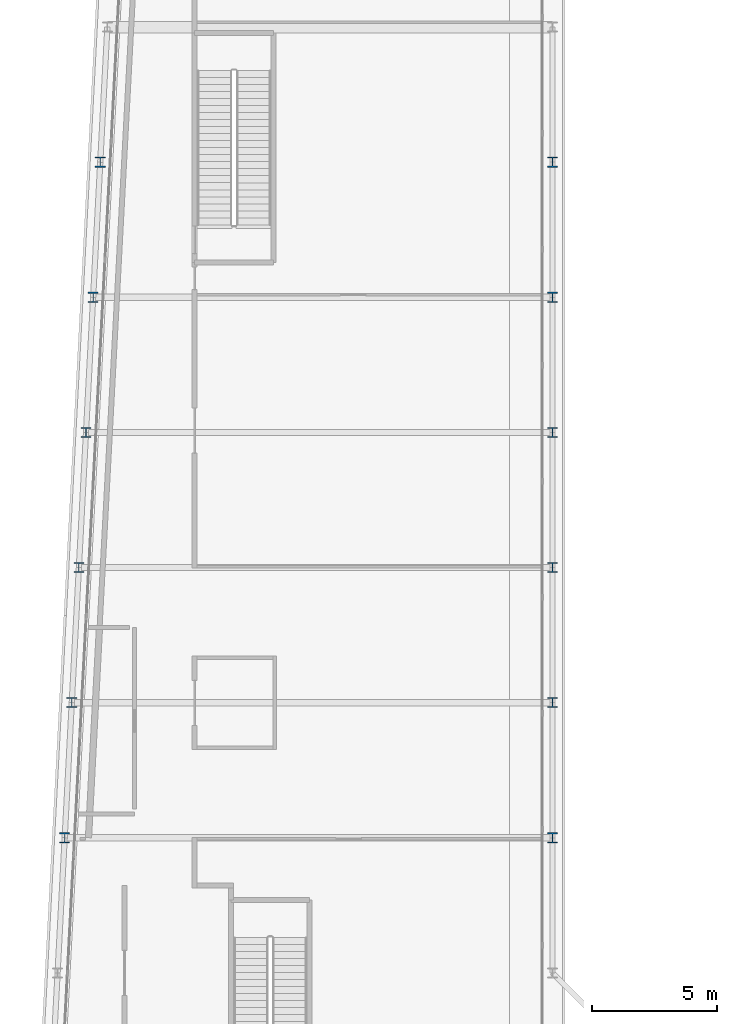
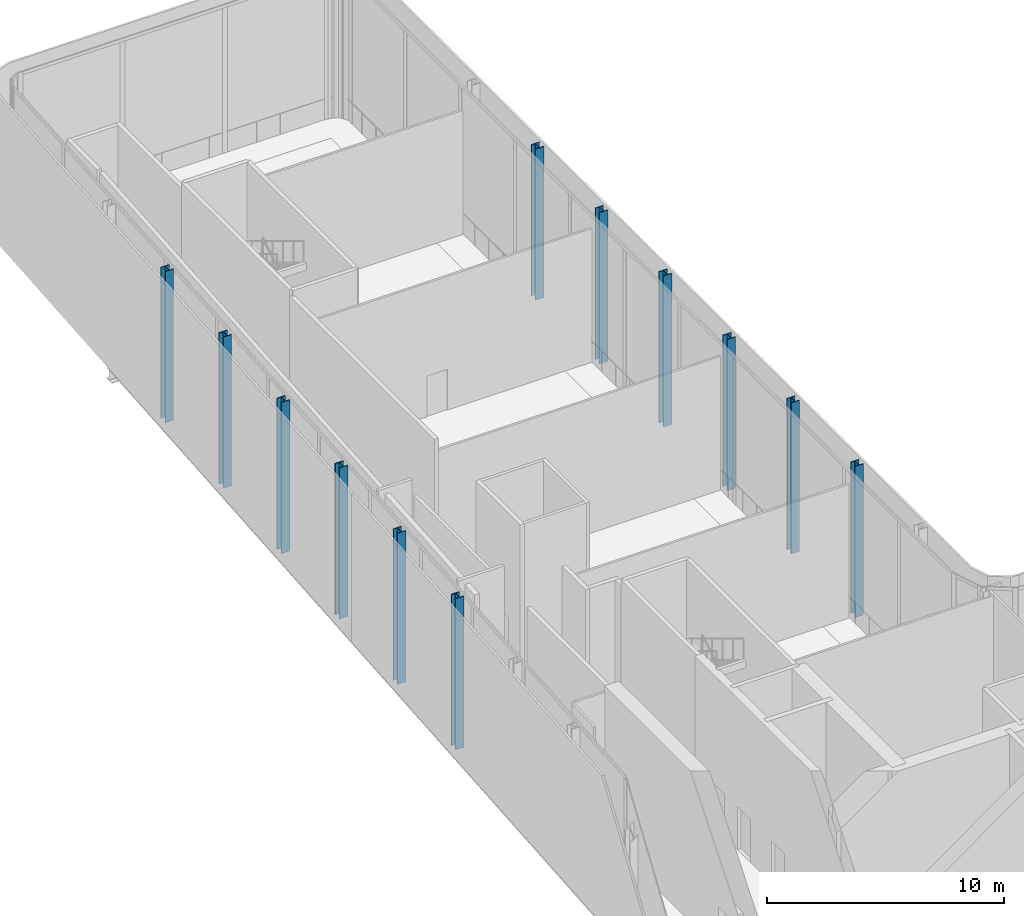
# One storey, part 3 of 38: 12 columns.
"""IFC4 building model written with IfcOpenShell, lengths in metres."""

from ifc_helpers import new_model, si_unit, direction, frame, origin, origin_2d, place, context, subcontext, project, spatial, i_section, extrude, material, material_profile, profile_set, type_object, element, save


model = new_model("IFC4")

# Units and contexts
model_context = context("Model", 3, precision=1e-05, world=origin(), true_north=direction((0.0, 1.0)))
body_context = subcontext(model_context, "Body", "Model", "MODEL_VIEW")
ifc_project = project(units=[si_unit("LENGTHUNIT", "METRE"), si_unit("AREAUNIT", "SQUARE_METRE"), si_unit("VOLUMEUNIT", "CUBIC_METRE"), si_unit("PLANEANGLEUNIT", "RADIAN"), si_unit("MASSUNIT", "GRAM", prefix="KILO")], contexts=[model_context])

# Site, building, storey
site_placement = place(None, origin())
site = spatial("IfcSite", under=ifc_project, at=site_placement, CompositionType="ELEMENT")
building_placement = place(site_placement, origin())
building = spatial("IfcBuilding", under=site, at=building_placement, Name="Kheshtan School and Residences Tower", CompositionType="ELEMENT")
storey_placement = place(building_placement, frame((0.0, 0.0, 203.300048828125)))
storey = spatial("IfcBuildingStorey", under=building, at=storey_placement, Name="L48", CompositionType="ELEMENT", Elevation=203.300048828125)

# Columns
ifc_material = material(Name="Steel ASTM A992 Grade 50", Category="steel")
ifc_material_profile = material_profile(ifc_material, i_section(OverallWidth=0.404052734375, OverallDepth=0.406982421875, WebThickness=0.027099609375, FlangeThickness=0.043701171875, FilletRadius=0.01220703125, at=origin_2d()), Name="W360x347")
ifc_profile_set = profile_set([ifc_material_profile], Name="Steel ASTM A992 Grade 50")
column_type = type_object("IfcColumnType", Name="Column C4 W360x347 ASTM A992 Grade 50", PredefinedType="COLUMN", material=ifc_profile_set)
for number, where, z_axis, x_axis, name in (
    (1, (28.10595703125, 56.39990234375, 0.0), (0.0, 0.0, 1.0), (1.0, 0.0, 0.0), "Column C080"),
    (2, (47.60009765625, 56.39990234375, 0.0), (0.0, 0.0, 1.0), (1.0, 0.0, 0.0), "Column C081"),
    (3, (28.389892578125, 61.800048828125, 0.0), (0.0, 0.0, 1.0), (1.0, 0.0, 0.0), "Column C082"),
    (4, (47.60009765625, 61.800048828125, 0.0), (0.0, 0.0, 1.0), (1.0, 0.0, 0.0), "Column C083"),
    (5, (28.674072265625, 67.199951171875, 0.0), (0.0, 0.0, 1.0), (1.0, 0.0, 0.0), "Column C084"),
    (6, (47.60009765625, 67.199951171875, 0.0), (0.0, 0.0, 1.0), (1.0, 0.0, 0.0), "Column C085"),
    (7, (28.9580078125, 72.60009765625, 0.0), (0.0, 0.0, 1.0), (1.0, 0.0, 0.0), "Column C086"),
    (8, (47.60009765625, 72.60009765625, 0.0), (0.0, 0.0, 1.0), (1.0, 0.0, 0.0), "Column C087"),
    (9, (29.242919921875, 78.0, 0.0), (0.0, 0.0, 1.0), (1.0, 0.0, 0.0), "Column C088"),
    (10, (47.60009765625, 78.0, 0.0), (0.0, 0.0, 1.0), (1.0, 0.0, 0.0), "Column C089"),
    (11, (29.527099609375, 83.39990234375, 0.0), (0.0, 0.0, 1.0), (1.0, 0.0, 0.0), "Column C090"),
    (12, (47.60009765625, 83.39990234375, 0.0), (0.0, 0.0, 1.0), (1.0, 0.0, 0.0), "Column C091"),
):
    element("IfcColumn", number, at=place(storey_placement, frame(where, z_axis=z_axis, x_axis=x_axis)), inside=storey, type_object=column_type, Name=name, PredefinedType="COLUMN", context=body_context, shape_type="SweptSolid", body=[
        extrude(i_section(OverallWidth=0.404052734375, OverallDepth=0.406982421875, WebThickness=0.027099609375, FlangeThickness=0.043701171875, FilletRadius=0.01220703125, at=origin_2d()), origin(), (0.0, 0.0, 1.0), 7.800048828125),
    ])

save(model, "model.ifc")
